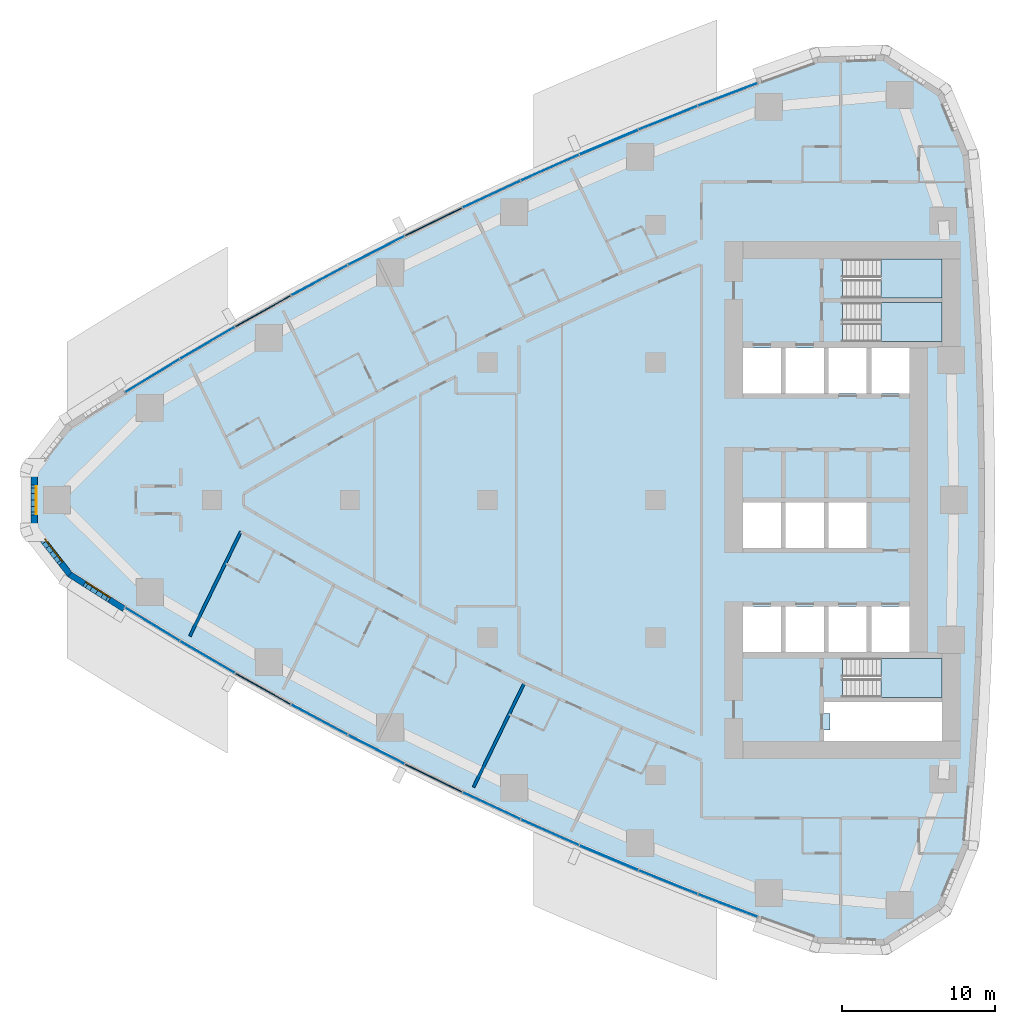
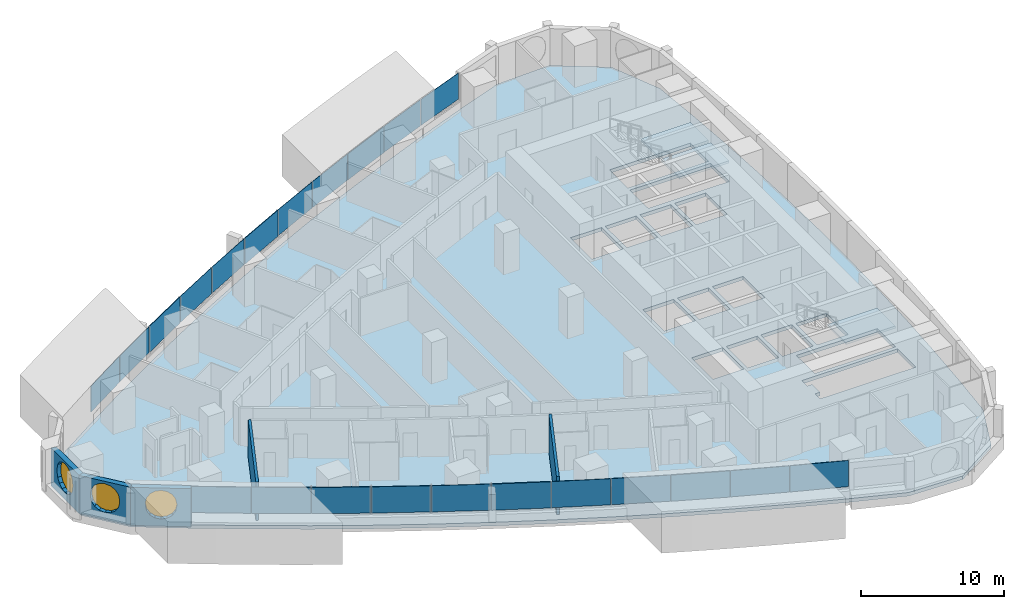
# One storey, part 8 of 19: 22 plates, 5 walls, 4 slabs, 3 windows, 4 openings, 13 elements without a shape of their own.
"""IFC4 building model written with IfcOpenShell, lengths in metres."""

from ifc_helpers import new_model, si_unit, direction, frame, frame_2d, origin, origin_2d, place, context, subcontext, project, spatial, polyline, rectangle, outline, extrude, material, layer, layer_set, type_object, element, fill, aggregate, save


model = new_model("IFC4")

# Units and contexts
model_context = context("Model", 3, precision=1e-05, world=origin(), true_north=direction((0.0, 1.0)))
body_context = subcontext(model_context, "Body", "Model", "MODEL_VIEW")
ifc_project = project(units=[si_unit("LENGTHUNIT", "METRE"), si_unit("AREAUNIT", "SQUARE_METRE"), si_unit("VOLUMEUNIT", "CUBIC_METRE"), si_unit("PLANEANGLEUNIT", "RADIAN"), si_unit("MASSUNIT", "GRAM", prefix="KILO")], contexts=[model_context])

# Site, building, storey
site_placement = place(None, origin())
site = spatial("IfcSite", under=ifc_project, at=site_placement, CompositionType="ELEMENT")
building_placement = place(site_placement, origin())
building = spatial("IfcBuilding", under=site, at=building_placement, Name="Ostrand Prow Hotel Tower", CompositionType="ELEMENT")
storey_placement = place(building_placement, frame((0.0, 0.0, 68.0)))
storey = spatial("IfcBuildingStorey", under=building, at=storey_placement, Name="L15", CompositionType="ELEMENT", Elevation=68.0)

# Curtain wall, plates
ifc_material_1 = material(Name="Insulated glass in bronze anodised frame", Category="glass")
ifc_layer_1 = layer(ifc_material_1, 0.199951171875)
ifc_layer_set_1 = layer_set([ifc_layer_1], Name="Insulated glass in bronze anodised frame")
curtain_wall_type = type_object("IfcCurtainWallType", Name="Strip curtain wall, fritted glass over bronze spandrel", PredefinedType="NOTDEFINED", material=ifc_layer_set_1)
curtain_wall_1_placement = place(storey_placement, origin())
curtain_wall_1 = element("IfcCurtainWall", 1, at=curtain_wall_1_placement, inside=storey, type_object=curtain_wall_type, Name="CW1 run CWS1", PredefinedType="NOTDEFINED")
ifc_material_2 = material(Name="Ceramic-fritted glass", Category="glass")
ifc_layer_2 = layer(ifc_material_2, 0.031982421875)
ifc_layer_set_2 = layer_set([ifc_layer_2], Name="Ceramic-fritted glass")
plate_type_1 = type_object("IfcPlateType", Name="Dot-fritted ceramic glass unit 32 mm", PredefinedType="CURTAIN_PANEL", material=ifc_layer_set_2)
plate_1_placement = place(storey_placement, frame((12.0859375, -8.12158203125, 1.02001953125), z_axis=(0.0, 0.0, 1.0), x_axis=(0.854269266322, -0.519830761515, 0.0)))
plate_1 = element("IfcPlate", 2, at=plate_1_placement, type_object=plate_type_1, Name="CW1 PN-D panel 1.2", PredefinedType="CURTAIN_PANEL", context=body_context, shape_type="SweptSolid", body=[
    extrude(rectangle(XDim=4.13427734375, YDim=0.031982421875, at=origin_2d()), origin(), (0.0, 0.0, 1.0), 2.22998046875),
])
plate_2_placement = place(storey_placement, frame((15.688720703125, -10.268798828125, 1.02001953125), z_axis=(0.0, 0.0, 1.0), x_axis=(0.863690392896, -0.50402272292, 0.0)))
plate_2 = element("IfcPlate", 3, at=plate_2_placement, type_object=plate_type_1, Name="CW1 PN-D panel 2.2", PredefinedType="CURTAIN_PANEL", context=body_context, shape_type="SweptSolid", body=[
    extrude(rectangle(XDim=4.13427734375, YDim=0.031982421875, at=origin_2d()), origin(), (0.0, 0.0, 1.0), 2.22998046875),
])
aggregate(curtain_wall_1, [plate_1, plate_2])

curtain_wall_2_placement = place(storey_placement, origin())
curtain_wall_2 = element("IfcCurtainWall", 4, at=curtain_wall_2_placement, inside=storey, type_object=curtain_wall_type, Name="CW1 run CWS2", PredefinedType="NOTDEFINED")
plate_3_placement = place(storey_placement, frame((23.009765625, -14.362548828125, 1.02001953125), z_axis=(0.0, 0.0, 1.0), x_axis=(0.881652083929, -0.471899992481, 0.0)))
plate_3 = element("IfcPlate", 5, at=plate_3_placement, type_object=plate_type_1, Name="CW1 PN-D panel 2.2", PredefinedType="CURTAIN_PANEL", context=body_context, shape_type="SweptSolid", body=[
    extrude(rectangle(XDim=4.13427734375, YDim=0.031982421875, at=origin_2d()), origin(), (0.0, 0.0, 1.0), 2.22998046875),
])
plate_4_placement = place(storey_placement, frame((26.7255859375, -16.3076171875, 1.02001953125), z_axis=(0.0, 0.0, 1.0), x_axis=(0.890186565631, -0.455596179055, 0.0)))
plate_4 = element("IfcPlate", 6, at=plate_4_placement, type_object=plate_type_1, Name="CW1 PN-D panel 3.2", PredefinedType="CURTAIN_PANEL", context=body_context, shape_type="SweptSolid", body=[
    extrude(rectangle(XDim=4.13427734375, YDim=0.031982421875, at=origin_2d()), origin(), (0.0, 0.0, 1.0), 2.22998046875),
])

# Curtain wall, plate
curtain_wall_3_placement = place(storey_placement, origin())
curtain_wall_3 = element("IfcCurtainWall", 7, at=curtain_wall_3_placement, inside=storey, type_object=curtain_wall_type, Name="CW1 run CWS3", PredefinedType="NOTDEFINED")
plate_5_placement = place(storey_placement, frame((34.26123046875, -19.990966796875, 1.02001953125), z_axis=(0.0, 0.0, 1.0), x_axis=(0.906349088757, -0.422529678615, 0.0)))
plate_5 = element("IfcPlate", 8, at=plate_5_placement, type_object=plate_type_1, Name="CW1 PN-D panel 2.2", PredefinedType="CURTAIN_PANEL", context=body_context, shape_type="SweptSolid", body=[
    extrude(rectangle(XDim=4.13427734375, YDim=0.031982421875, at=origin_2d()), origin(), (0.0, 0.0, 1.0), 2.22998046875),
])

curtain_wall_4_placement = place(storey_placement, origin())
curtain_wall_4 = element("IfcCurtainWall", 9, at=curtain_wall_4_placement, inside=storey, type_object=curtain_wall_type, Name="CW1 run CWS4", PredefinedType="NOTDEFINED")
plate_6_placement = place(storey_placement, frame((38.078857421875, -21.72802734375, 1.02001953125), z_axis=(0.0, 0.0, 1.0), x_axis=(0.913970890274, -0.405779757666, 0.0)))
plate_6 = element("IfcPlate", 10, at=plate_6_placement, type_object=plate_type_1, Name="CW1 PN-D panel 1.2", PredefinedType="CURTAIN_PANEL", context=body_context, shape_type="SweptSolid", body=[
    extrude(rectangle(XDim=4.13427734375, YDim=0.031982421875, at=origin_2d()), origin(), (0.0, 0.0, 1.0), 2.22998046875),
])

# Curtain wall, plates
curtain_wall_5_placement = place(storey_placement, origin())
curtain_wall_5 = element("IfcCurtainWall", 11, at=curtain_wall_5_placement, inside=storey, type_object=curtain_wall_type, Name="CW1 run CWS5", PredefinedType="NOTDEFINED")
plate_7_placement = place(storey_placement, frame((45.806396484375, -24.989990234375, 1.02001953125), z_axis=(0.0, 0.0, 1.0), x_axis=(0.928283463577, -0.371873380669, 0.0)))
plate_7 = element("IfcPlate", 12, at=plate_7_placement, type_object=plate_type_1, Name="CW1 PN-D panel 1.2", PredefinedType="CURTAIN_PANEL", context=body_context, shape_type="SweptSolid", body=[
    extrude(rectangle(XDim=4.13427734375, YDim=0.031982421875, at=origin_2d()), origin(), (0.0, 0.0, 1.0), 2.22998046875),
])
plate_8_placement = place(storey_placement, frame((49.7138671875, -26.513671875, 1.02001953125), z_axis=(0.0, 0.0, 1.0), x_axis=(0.934969388384, -0.354728407072, 0.0)))
plate_8 = element("IfcPlate", 13, at=plate_8_placement, type_object=plate_type_1, Name="CW1 PN-D panel 2.2", PredefinedType="CURTAIN_PANEL", context=body_context, shape_type="SweptSolid", body=[
    extrude(rectangle(XDim=4.13427734375, YDim=0.031982421875, at=origin_2d()), origin(), (0.0, 0.0, 1.0), 2.22998046875),
])
aggregate(curtain_wall_5, [plate_7, plate_8])

curtain_wall_6_placement = place(storey_placement, origin())
curtain_wall_6 = element("IfcCurtainWall", 14, at=curtain_wall_6_placement, inside=storey, type_object=curtain_wall_type, Name="CW1 run CWN1", PredefinedType="NOTDEFINED")
plate_9_placement = place(storey_placement, frame((49.7138671875, 26.513671875, 1.02001953125), z_axis=(0.0, 0.0, 1.0), x_axis=(-0.934969388384, -0.354728407072, 0.0)))
plate_9 = element("IfcPlate", 15, at=plate_9_placement, type_object=plate_type_1, Name="CW1 PN-D panel 1.2", PredefinedType="CURTAIN_PANEL", context=body_context, shape_type="SweptSolid", body=[
    extrude(rectangle(XDim=4.13427734375, YDim=0.031982421875, at=origin_2d()), origin(), (0.0, 0.0, 1.0), 2.22998046875),
])
plate_10_placement = place(storey_placement, frame((45.806396484375, 24.989990234375, 1.02001953125), z_axis=(0.0, 0.0, 1.0), x_axis=(-0.928283463577, -0.371873380669, 0.0)))
plate_10 = element("IfcPlate", 16, at=plate_10_placement, type_object=plate_type_1, Name="CW1 PN-D panel 2.2", PredefinedType="CURTAIN_PANEL", context=body_context, shape_type="SweptSolid", body=[
    extrude(rectangle(XDim=4.13427734375, YDim=0.031982421875, at=origin_2d()), origin(), (0.0, 0.0, 1.0), 2.22998046875),
])
aggregate(curtain_wall_6, [plate_9, plate_10])

# Curtain wall, plate
curtain_wall_7_placement = place(storey_placement, origin())
curtain_wall_7 = element("IfcCurtainWall", 17, at=curtain_wall_7_placement, inside=storey, type_object=curtain_wall_type, Name="CW1 run CWN2", PredefinedType="NOTDEFINED")
plate_11_placement = place(storey_placement, frame((38.078857421875, 21.72802734375, 1.02001953125), z_axis=(0.0, 0.0, 1.0), x_axis=(-0.913970890274, -0.405779757666, 0.0)))
plate_11 = element("IfcPlate", 18, at=plate_11_placement, type_object=plate_type_1, Name="CW1 PN-D panel 2.2", PredefinedType="CURTAIN_PANEL", context=body_context, shape_type="SweptSolid", body=[
    extrude(rectangle(XDim=4.13427734375, YDim=0.031982421875, at=origin_2d()), origin(), (0.0, 0.0, 1.0), 2.22998046875),
])

curtain_wall_8_placement = place(storey_placement, origin())
curtain_wall_8 = element("IfcCurtainWall", 19, at=curtain_wall_8_placement, inside=storey, type_object=curtain_wall_type, Name="CW1 run CWN3", PredefinedType="NOTDEFINED")
plate_12_placement = place(storey_placement, frame((34.26123046875, 19.990966796875, 1.02001953125), z_axis=(0.0, 0.0, 1.0), x_axis=(-0.906349088757, -0.422529678615, 0.0)))
plate_12 = element("IfcPlate", 20, at=plate_12_placement, type_object=plate_type_1, Name="CW1 PN-D panel 1.2", PredefinedType="CURTAIN_PANEL", context=body_context, shape_type="SweptSolid", body=[
    extrude(rectangle(XDim=4.13427734375, YDim=0.031982421875, at=origin_2d()), origin(), (0.0, 0.0, 1.0), 2.22998046875),
])

# Curtain wall, plates
curtain_wall_9_placement = place(storey_placement, origin())
curtain_wall_9 = element("IfcCurtainWall", 21, at=curtain_wall_9_placement, inside=storey, type_object=curtain_wall_type, Name="CW1 run CWN4", PredefinedType="NOTDEFINED")
plate_13_placement = place(storey_placement, frame((26.7255859375, 16.3076171875, 1.02001953125), z_axis=(0.0, 0.0, 1.0), x_axis=(-0.890186565631, -0.455596179055, 0.0)))
plate_13 = element("IfcPlate", 22, at=plate_13_placement, type_object=plate_type_1, Name="CW1 PN-D panel 1.2", PredefinedType="CURTAIN_PANEL", context=body_context, shape_type="SweptSolid", body=[
    extrude(rectangle(XDim=4.13427734375, YDim=0.031982421875, at=origin_2d()), origin(), (0.0, 0.0, 1.0), 2.22998046875),
])
plate_14_placement = place(storey_placement, frame((23.009765625, 14.362548828125, 1.02001953125), z_axis=(0.0, 0.0, 1.0), x_axis=(-0.881652083929, -0.471899992481, 0.0)))
plate_14 = element("IfcPlate", 23, at=plate_14_placement, type_object=plate_type_1, Name="CW1 PN-D panel 2.2", PredefinedType="CURTAIN_PANEL", context=body_context, shape_type="SweptSolid", body=[
    extrude(rectangle(XDim=4.13427734375, YDim=0.031982421875, at=origin_2d()), origin(), (0.0, 0.0, 1.0), 2.22998046875),
])

curtain_wall_10_placement = place(storey_placement, origin())
curtain_wall_10 = element("IfcCurtainWall", 24, at=curtain_wall_10_placement, inside=storey, type_object=curtain_wall_type, Name="CW1 run CWN5", PredefinedType="NOTDEFINED")
plate_15_placement = place(storey_placement, frame((15.688720703125, 10.268798828125, 1.02001953125), z_axis=(0.0, 0.0, 1.0), x_axis=(-0.863690392896, -0.50402272292, 0.0)))
plate_15 = element("IfcPlate", 25, at=plate_15_placement, type_object=plate_type_1, Name="CW1 PN-D panel 1.2", PredefinedType="CURTAIN_PANEL", context=body_context, shape_type="SweptSolid", body=[
    extrude(rectangle(XDim=4.13427734375, YDim=0.031982421875, at=origin_2d()), origin(), (0.0, 0.0, 1.0), 2.22998046875),
])
plate_16_placement = place(storey_placement, frame((12.0859375, 8.12158203125, 1.02001953125), z_axis=(0.0, 0.0, 1.0), x_axis=(-0.854269266322, -0.519830761515, 0.0)))
plate_16 = element("IfcPlate", 26, at=plate_16_placement, type_object=plate_type_1, Name="CW1 PN-D panel 2.2", PredefinedType="CURTAIN_PANEL", context=body_context, shape_type="SweptSolid", body=[
    extrude(rectangle(XDim=4.13427734375, YDim=0.031982421875, at=origin_2d()), origin(), (0.0, 0.0, 1.0), 2.22998046875),
])
aggregate(curtain_wall_10, [plate_15, plate_16])

# Plate
ifc_material_3 = material(Name="Fritted glass in bronze vent frame", Category="glass")
ifc_layer_3 = layer(ifc_material_3, 0.06005859375)
ifc_layer_set_3 = layer_set([ifc_layer_3], Name="Fritted glass in bronze vent frame")
plate_type_2 = type_object("IfcPlateType", Name="Operable vent panel 60 mm", PredefinedType="CURTAIN_PANEL", material=ifc_layer_set_3)
plate_17_placement = place(storey_placement, frame((19.33056640625, -12.349365234375, 1.02001953125), z_axis=(0.0, 0.0, 1.0), x_axis=(0.872819029241, -0.488043996167, 0.0)))
plate_17 = element("IfcPlate", 27, at=plate_17_placement, type_object=plate_type_2, Name="CW1 PN-O panel 1.2", PredefinedType="CURTAIN_PANEL", context=body_context, shape_type="SweptSolid", body=[
    extrude(rectangle(XDim=4.13427734375, YDim=0.06005859375, at=origin_2d()), origin(), (0.0, 0.0, 1.0), 2.22998046875),
])

aggregate(curtain_wall_2, [plate_17, plate_3, plate_4])

plate_18_placement = place(storey_placement, frame((30.4765625, -18.183837890625, 1.02001953125), z_axis=(0.0, 0.0, 1.0), x_axis=(0.898419584131, -0.439138077204, 0.0)))
plate_18 = element("IfcPlate", 28, at=plate_18_placement, type_object=plate_type_2, Name="CW1 PN-O panel 1.2", PredefinedType="CURTAIN_PANEL", context=body_context, shape_type="SweptSolid", body=[
    extrude(rectangle(XDim=4.13427734375, YDim=0.06005859375, at=origin_2d()), origin(), (0.0, 0.0, 1.0), 2.22998046875),
])

aggregate(curtain_wall_3, [plate_18, plate_5])

plate_19_placement = place(storey_placement, frame((41.927490234375, -23.39453125, 1.02001953125), z_axis=(0.0, 0.0, 1.0), x_axis=(0.921283173987, -0.388892418709, 0.0)))
plate_19 = element("IfcPlate", 29, at=plate_19_placement, type_object=plate_type_2, Name="CW1 PN-O panel 2.2", PredefinedType="CURTAIN_PANEL", context=body_context, shape_type="SweptSolid", body=[
    extrude(rectangle(XDim=4.13427734375, YDim=0.06005859375, at=origin_2d()), origin(), (0.0, 0.0, 1.0), 2.22998046875),
])

aggregate(curtain_wall_4, [plate_6, plate_19])

plate_20_placement = place(storey_placement, frame((41.927490234375, 23.39453125, 1.02001953125), z_axis=(0.0, 0.0, 1.0), x_axis=(-0.921283173987, -0.388892418709, 0.0)))
plate_20 = element("IfcPlate", 30, at=plate_20_placement, type_object=plate_type_2, Name="CW1 PN-O panel 1.2", PredefinedType="CURTAIN_PANEL", context=body_context, shape_type="SweptSolid", body=[
    extrude(rectangle(XDim=4.13427734375, YDim=0.06005859375, at=origin_2d()), origin(), (0.0, 0.0, 1.0), 2.22998046875),
])

aggregate(curtain_wall_7, [plate_20, plate_11])

plate_21_placement = place(storey_placement, frame((30.4765625, 18.183837890625, 1.02001953125), z_axis=(0.0, 0.0, 1.0), x_axis=(-0.898419584131, -0.439138077204, 0.0)))
plate_21 = element("IfcPlate", 31, at=plate_21_placement, type_object=plate_type_2, Name="CW1 PN-O panel 2.2", PredefinedType="CURTAIN_PANEL", context=body_context, shape_type="SweptSolid", body=[
    extrude(rectangle(XDim=4.13427734375, YDim=0.06005859375, at=origin_2d()), origin(), (0.0, 0.0, 1.0), 2.22998046875),
])

aggregate(curtain_wall_8, [plate_12, plate_21])

plate_22_placement = place(storey_placement, frame((19.33056640625, 12.349365234375, 1.02001953125), z_axis=(0.0, 0.0, 1.0), x_axis=(-0.872819029241, -0.488043996167, 0.0)))
plate_22 = element("IfcPlate", 32, at=plate_22_placement, type_object=plate_type_2, Name="CW1 PN-O panel 3.2", PredefinedType="CURTAIN_PANEL", context=body_context, shape_type="SweptSolid", body=[
    extrude(rectangle(XDim=4.13427734375, YDim=0.06005859375, at=origin_2d()), origin(), (0.0, 0.0, 1.0), 2.22998046875),
])

aggregate(curtain_wall_9, [plate_13, plate_14, plate_22])

# Slab, opening
ifc_material_4 = material(Name="Concrete C40/50", Category="concrete")
ifc_layer_4 = layer(ifc_material_4, 0.300048828125)
ifc_layer_set_4 = layer_set([ifc_layer_4], Name="Concrete C40/50")
slab_type_1 = type_object("IfcSlabType", Name="PT flat plate 300 C40/50", PredefinedType="FLOOR", material=ifc_layer_set_4)
slab_1_placement = place(storey_placement, frame((0.0, 0.0, -0.300048828125)))
slab_1 = element("IfcSlab", 33, at=slab_1_placement, inside=storey, type_object=slab_type_1, Name="Floor slab L15-1", PredefinedType="FLOOR", context=body_context, shape_type="SweptSolid", body=[
    extrude(outline(polyline([(6.690673828125, 4.805908203125), (10.26806640625, 7.073974609375), (13.851806640625, 9.2548828125), (17.47509765625, 11.369384765625), (21.136962890625, 13.416748046875), (24.83544921875, 15.396484375), (28.570068359375, 17.3076171875), (32.339111328125, 19.14990234375), (36.141357421875, 20.922607421875), (39.9755859375, 22.625), (43.840576171875, 24.25634765625), (47.73486328125, 25.81640625), (51.6572265625, 27.3046875), (55.64111328125, 28.73291015625), (59.92333984375, 28.873046875), (63.55908203125, 26.53369140625), (65.2060546875, 22.578369140625), (65.552978515625, 18.45166015625), (65.828369140625, 14.356689453125), (66.034912109375, 10.2578125), (66.172607421875, 6.15576171875), (66.241455078125, 2.052001953125), (66.241455078125, -2.052001953125), (66.172607421875, -6.15576171875), (66.034912109375, -10.2578125), (65.828369140625, -14.356689453125), (65.552978515625, -18.45166015625), (65.2060546875, -22.578369140625), (63.55908203125, -26.53369140625), (59.92333984375, -28.873046875), (55.64111328125, -28.73291015625), (51.6572265625, -27.3046875), (47.73486328125, -25.81640625), (43.840576171875, -24.25634765625), (39.9755859375, -22.625), (36.141357421875, -20.922607421875), (32.339111328125, -19.14990234375), (28.570068359375, -17.3076171875), (24.83544921875, -15.396484375), (21.136962890625, -13.416748046875), (17.47509765625, -11.369384765625), (13.851806640625, -9.2548828125), (10.26806640625, -7.073974609375), (6.690673828125, -4.805908203125), (4.399169921875, -1.8798828125), (4.399169921875, 1.8798828125), (6.690673828125, 4.805908203125)]), holes=[polyline([(50.699951171875, 6.949951171875), (53.199951171875, 6.949951171875), (53.199951171875, 9.949951171875), (50.699951171875, 9.949951171875), (50.699951171875, 6.949951171875)]), polyline([(53.5, 6.949951171875), (56.0, 6.949951171875), (56.0, 9.949951171875), (53.5, 9.949951171875), (53.5, 6.949951171875)]), polyline([(56.300048828125, 6.949951171875), (58.800048828125, 6.949951171875), (58.800048828125, 9.949951171875), (56.300048828125, 9.949951171875), (56.300048828125, 6.949951171875)]), polyline([(59.10009765625, 6.949951171875), (61.60009765625, 6.949951171875), (61.60009765625, 9.949951171875), (59.10009765625, 9.949951171875), (59.10009765625, 6.949951171875)]), polyline([(50.699951171875, -3.14990234375), (53.199951171875, -3.14990234375), (53.199951171875, -0.14990234375), (50.699951171875, -0.14990234375), (50.699951171875, -3.14990234375)]), polyline([(53.5, -3.14990234375), (56.0, -3.14990234375), (56.0, -0.14990234375), (53.5, -0.14990234375), (53.5, -3.14990234375)]), polyline([(56.300048828125, -3.14990234375), (58.800048828125, -3.14990234375), (58.800048828125, -0.14990234375), (56.300048828125, -0.14990234375), (56.300048828125, -3.14990234375)]), polyline([(50.699951171875, -9.949951171875), (53.199951171875, -9.949951171875), (53.199951171875, -6.949951171875), (50.699951171875, -6.949951171875), (50.699951171875, -9.949951171875)]), polyline([(53.5, -9.949951171875), (56.0, -9.949951171875), (56.0, -6.949951171875), (53.5, -6.949951171875), (53.5, -9.949951171875)]), polyline([(56.300048828125, -9.949951171875), (58.800048828125, -9.949951171875), (58.800048828125, -6.949951171875), (56.300048828125, -6.949951171875), (56.300048828125, -9.949951171875)]), polyline([(59.10009765625, -9.949951171875), (61.60009765625, -9.949951171875), (61.60009765625, -6.949951171875), (59.10009765625, -6.949951171875), (59.10009765625, -9.949951171875)]), polyline([(57.200927734375, 10.35107421875), (57.200927734375, 12.89892578125), (63.718994140625, 12.89892578125), (63.718994140625, 10.35107421875), (57.200927734375, 10.35107421875)]), polyline([(57.200927734375, 13.200927734375), (57.200927734375, 15.7490234375), (63.718994140625, 15.7490234375), (63.718994140625, 13.200927734375), (57.200927734375, 13.200927734375)]), polyline([(57.200927734375, -12.89892578125), (57.200927734375, -10.35107421875), (63.718994140625, -10.35107421875), (63.718994140625, -12.89892578125), (57.200927734375, -12.89892578125)]), polyline([(56.0, -13.199951171875), (63.719970703125, -13.199951171875), (63.719970703125, -15.75), (56.0, -15.75), (56.0, -15.050048828125), (56.39990234375, -15.050048828125), (56.39990234375, -13.949951171875), (56.0, -13.949951171875), (56.0, -13.199951171875)])]), origin(), (0.0, 0.0, 1.0), 0.300048828125),
])
opening_1_placement = place(slab_1_placement, origin())
element("IfcOpeningElement", 34, at=opening_1_placement, cuts=slab_1, Name="Shaft opening 1", PredefinedType="OPENING", context=body_context, shape_type="SweptSolid", body=[
    extrude(outline(polyline([(56.0, -13.199951171875), (63.719970703125, -13.199951171875), (63.719970703125, -15.75), (56.0, -15.75), (56.0, -15.050048828125), (56.39990234375, -15.050048828125), (56.39990234375, -13.949951171875), (56.0, -13.949951171875), (56.0, -13.199951171875)])), origin(), (0.0, 0.0, 1.0), 0.300048828125),
])

# Stair, slab
ifc_material_5 = material(Name="Concrete C40/50", Category="concrete")
stair_type = type_object("IfcStairType", Name="Exit stair 1200 upper zone", PredefinedType="HALF_TURN_STAIR", material=ifc_material_5)
stair_1_placement = place(storey_placement, origin())
stair_1 = element("IfcStair", 35, at=stair_1_placement, inside=storey, type_object=stair_type, Name="L15 ST1C", PredefinedType="HALF_TURN_STAIR")
ifc_material_6 = material(Name="Concrete C40/50", Category="concrete")
ifc_layer_5 = layer(ifc_material_6, 0.199951171875)
ifc_layer_set_5 = layer_set([ifc_layer_5], Name="Concrete C40/50")
slab_type_2 = type_object("IfcSlabType", Name="Stair landing 200 concrete", PredefinedType="LANDING", material=ifc_layer_set_5)
slab_2_placement = place(storey_placement, frame((0.0, 0.0, 1.574951171875)))
slab_2 = element("IfcSlab", 36, at=slab_2_placement, type_object=slab_type_2, Name="ST1C landing 1", PredefinedType="LANDING", context=body_context, shape_type="SweptSolid", body=[
    extrude(outline(polyline([(59.719970703125, 10.35009765625), (63.719970703125, 10.35009765625), (63.719970703125, 12.89990234375), (59.719970703125, 12.89990234375), (59.719970703125, 10.35009765625)])), origin(), (0.0, 0.0, 1.0), 0.199951171875),
])
aggregate(stair_1, [slab_2])

stair_2_placement = place(storey_placement, origin())
stair_2 = element("IfcStair", 37, at=stair_2_placement, inside=storey, type_object=stair_type, Name="L15 ST3C", PredefinedType="HALF_TURN_STAIR")
slab_3_placement = place(storey_placement, frame((0.0, 0.0, 1.574951171875)))
slab_3 = element("IfcSlab", 38, at=slab_3_placement, type_object=slab_type_2, Name="ST3C landing 1", PredefinedType="LANDING", context=body_context, shape_type="SweptSolid", body=[
    extrude(outline(polyline([(59.719970703125, 13.199951171875), (63.719970703125, 13.199951171875), (63.719970703125, 15.75), (59.719970703125, 15.75), (59.719970703125, 13.199951171875)])), origin(), (0.0, 0.0, 1.0), 0.199951171875),
])
aggregate(stair_2, [slab_3])

stair_3_placement = place(storey_placement, origin())
stair_3 = element("IfcStair", 39, at=stair_3_placement, inside=storey, type_object=stair_type, Name="L15 ST2C", PredefinedType="HALF_TURN_STAIR")
slab_4_placement = place(storey_placement, frame((0.0, 0.0, 1.574951171875)))
slab_4 = element("IfcSlab", 40, at=slab_4_placement, type_object=slab_type_2, Name="ST2C landing 1", PredefinedType="LANDING", context=body_context, shape_type="SweptSolid", body=[
    extrude(outline(polyline([(59.719970703125, -12.89990234375), (63.719970703125, -12.89990234375), (63.719970703125, -10.35009765625), (59.719970703125, -10.35009765625), (59.719970703125, -12.89990234375)])), origin(), (0.0, 0.0, 1.0), 0.199951171875),
])
aggregate(stair_3, [slab_4])

# Walls
ifc_material_7 = material(Name="Plasterboard partition")
ifc_layer_6 = layer(ifc_material_7, 0.199951171875)
ifc_layer_set_6 = layer_set([ifc_layer_6], Name="Plasterboard partition")
wall_type_1 = type_object("IfcWallType", Name="Partition 200 key partition", PredefinedType="PARTITIONING", material=ifc_layer_set_6)
wall_1_placement = place(storey_placement, frame((14.540771484375, -8.904296875, 0.0), z_axis=(0.0, 0.0, 1.0), x_axis=(0.438213564788, 0.898870887078, 0.0)))
element("IfcWall", 41, at=wall_1_placement, inside=storey, type_object=wall_type_1, Name="KEY PARTITION", PredefinedType="PARTITIONING", context=body_context, shape_type="SweptSolid", body=[
    extrude(rectangle(XDim=7.62548828125, YDim=0.199951171875, at=frame_2d((3.812744140625, 0.0))), origin(), (0.0, 0.0, 1.0), 3.25),
])
wall_2_placement = place(storey_placement, frame((33.087890625, -18.781982421875, 0.0), z_axis=(0.0, 0.0, 1.0), x_axis=(0.438197705697, 0.898878618459, 0.0)))
element("IfcWall", 42, at=wall_2_placement, inside=storey, type_object=wall_type_1, Name="KEY PARTITION", PredefinedType="PARTITIONING", context=body_context, shape_type="SweptSolid", body=[
    extrude(rectangle(XDim=7.60107421875, YDim=0.199951171875, at=frame_2d((3.800537109375, 0.0))), origin(), (0.0, 0.0, 1.0), 3.25),
])

# Wall, opening, window
ifc_material_8 = material(Name="Precast concrete C40/50", Category="concrete")
ifc_layer_7 = layer(ifc_material_8, 0.39990234375)
ifc_layer_set_7 = layer_set([ifc_layer_7], Name="Precast concrete C40/50")
wall_type_2 = type_object("IfcWallType", Name="Stone-faced precast wall 400 mm", PredefinedType="NOTDEFINED", material=ifc_layer_set_7)
wall_3_placement = place(storey_placement, frame((4.365478515625, 1.891357421875, 0.0), z_axis=(0.0, 0.0, 1.0), x_axis=(0.0, -1.0, 0.0)))
wall_3 = element("IfcWall", 43, at=wall_3_placement, inside=storey, type_object=wall_type_2, Name="Stone-faced wall prow 3", PredefinedType="NOTDEFINED", context=body_context, shape_type="SweptSolid", body=[
    extrude(outline(polyline([(-0.069091796875, -0.199951171875), (3.851806640625, -0.199951171875), (3.713623046875, 0.199951171875), (0.069091796875, 0.199951171875), (-0.069091796875, -0.199951171875)])), origin(), (0.0, 0.0, 1.0), 3.25),
])
opening_2_placement = place(wall_3_placement, frame((0.79150390625, 0.0, 0.60009765625)))
opening_2 = element("IfcOpeningElement", 44, at=opening_2_placement, cuts=wall_3, Name="Opening WP1", PredefinedType="OPENING", context=body_context, shape_type="SweptSolid", body=[
    extrude(outline(polyline([(0.0, 1.35009765625), (0.083740234375, 1.77099609375), (0.322265625, 2.127685546875), (0.678955078125, 2.3662109375), (1.10009765625, 2.449951171875), (1.52099609375, 2.3662109375), (1.877685546875, 2.127685546875), (2.1162109375, 1.77099609375), (2.199951171875, 1.35009765625), (2.199951171875, 1.10009765625), (2.1162109375, 0.678955078125), (1.877685546875, 0.322265625), (1.52099609375, 0.083740234375), (1.10009765625, 0.0), (0.678955078125, 0.083740234375), (0.322265625, 0.322265625), (0.083740234375, 0.678955078125), (0.0, 1.099853515625), (0.0, 1.35009765625)])), frame((0.0, 0.2099609375, 0.0), z_axis=(0.0, -1.0, 0.0), x_axis=(1.0, 0.0, 0.0)), (0.0, 0.0, 1.0), 0.419921875),
])
ifc_material_9 = material(Name="Insulated glass in bronze frame", Category="glass")
window_type = type_object("IfcWindowType", Name="Round-ended prow window 2200x2450", PartitioningType="SINGLE_PANEL", PredefinedType="WINDOW", material=ifc_material_9)
window_1_placement = place(opening_2_placement, origin())
window_1 = element("IfcWindow", 45, at=window_1_placement, inside=storey, type_object=window_type, Name="Window prow 3.1", OverallHeight=2.449951171875, OverallWidth=2.199951171875, PartitioningType="SINGLE_PANEL", PredefinedType="WINDOW", context=body_context, shape_type="SweptSolid", body=[
    extrude(outline(polyline([(0.0, 1.35009765625), (0.083740234375, 1.77099609375), (0.322265625, 2.127685546875), (0.678955078125, 2.3662109375), (1.10009765625, 2.449951171875), (1.52099609375, 2.3662109375), (1.877685546875, 2.127685546875), (2.1162109375, 1.77099609375), (2.199951171875, 1.35009765625), (2.199951171875, 1.10009765625), (2.1162109375, 0.678955078125), (1.877685546875, 0.322265625), (1.52099609375, 0.083740234375), (1.10009765625, 0.0), (0.678955078125, 0.083740234375), (0.322265625, 0.322265625), (0.083740234375, 0.678955078125), (0.0, 1.099853515625), (0.0, 1.35009765625)])), frame((0.0, 0.169921875, 0.0), z_axis=(0.0, -1.0, 0.0), x_axis=(1.0, 0.0, 0.0)), (0.0, 0.0, 1.0), 0.06005859375),
])
fill(opening_2, window_1)

wall_4_placement = place(storey_placement, frame((4.365478515625, -1.891357421875, 0.0), z_axis=(0.0, 0.0, 1.0), x_axis=(0.616586647779, -0.787287054245, 0.0)))
wall_4 = element("IfcWall", 46, at=wall_4_placement, inside=storey, type_object=wall_type_2, Name="Stone-faced wall prow 4", PredefinedType="NOTDEFINED", context=body_context, shape_type="SweptSolid", body=[
    extrude(outline(polyline([(-0.069091796875, -0.199951171875), (3.8173828125, -0.199951171875), (3.74853515625, 0.199951171875), (0.069091796875, 0.199951171875), (-0.069091796875, -0.199951171875)])), origin(), (0.0, 0.0, 1.0), 3.25),
])
opening_3_placement = place(wall_4_placement, frame((0.79150390625, 0.0, 0.60009765625)))
opening_3 = element("IfcOpeningElement", 47, at=opening_3_placement, cuts=wall_4, Name="Opening WP1", PredefinedType="OPENING", context=body_context, shape_type="SweptSolid", body=[
    extrude(outline(polyline([(0.0, 1.35009765625), (0.083740234375, 1.77099609375), (0.322265625, 2.127685546875), (0.678955078125, 2.3662109375), (1.10009765625, 2.449951171875), (1.52099609375, 2.3662109375), (1.877685546875, 2.127685546875), (2.1162109375, 1.77099609375), (2.199951171875, 1.35009765625), (2.199951171875, 1.10009765625), (2.1162109375, 0.678955078125), (1.877685546875, 0.322265625), (1.52099609375, 0.083740234375), (1.10009765625, 0.0), (0.678955078125, 0.083740234375), (0.322265625, 0.322265625), (0.083740234375, 0.678955078125), (0.0, 1.099853515625), (0.0, 1.35009765625)])), frame((0.0, 0.2099609375, 0.0), z_axis=(0.0, -1.0, 0.0), x_axis=(1.0, 0.0, 0.0)), (0.0, 0.0, 1.0), 0.419921875),
])
window_2_placement = place(opening_3_placement, origin())
window_2 = element("IfcWindow", 48, at=window_2_placement, inside=storey, type_object=window_type, Name="Window prow 4.1", OverallHeight=2.449951171875, OverallWidth=2.199951171875, PartitioningType="SINGLE_PANEL", PredefinedType="WINDOW", context=body_context, shape_type="SweptSolid", body=[
    extrude(outline(polyline([(0.0, 1.35009765625), (0.083740234375, 1.77099609375), (0.322265625, 2.127685546875), (0.678955078125, 2.3662109375), (1.10009765625, 2.449951171875), (1.52099609375, 2.3662109375), (1.877685546875, 2.127685546875), (2.1162109375, 1.77099609375), (2.199951171875, 1.35009765625), (2.199951171875, 1.10009765625), (2.1162109375, 0.678955078125), (1.877685546875, 0.322265625), (1.52099609375, 0.083740234375), (1.10009765625, 0.0), (0.678955078125, 0.083740234375), (0.322265625, 0.322265625), (0.083740234375, 0.678955078125), (0.0, 1.099853515625), (0.0, 1.35009765625)])), frame((0.0, 0.169921875, 0.0), z_axis=(0.0, -1.0, 0.0), x_axis=(1.0, 0.0, 0.0)), (0.0, 0.0, 1.0), 0.06005859375),
])
fill(opening_3, window_2)

wall_5_placement = place(storey_placement, frame((6.697998046875, -4.86962890625, 0.0), z_axis=(0.0, 0.0, 1.0), x_axis=(0.844551578623, -0.535474211372, 0.0)))
wall_5 = element("IfcWall", 49, at=wall_5_placement, inside=storey, type_object=wall_type_2, Name="Stone-faced wall prow 5", PredefinedType="NOTDEFINED", context=body_context, shape_type="SweptSolid", body=[
    extrude(outline(polyline([(-0.034423828125, -0.199951171875), (4.196044921875, -0.199951171875), (4.196044921875, 0.199951171875), (0.034423828125, 0.199951171875), (-0.034423828125, -0.199951171875)])), origin(), (0.0, 0.0, 1.0), 3.25),
])
opening_4_placement = place(wall_5_placement, frame((0.998046875, 0.0, 0.60009765625)))
opening_4 = element("IfcOpeningElement", 50, at=opening_4_placement, cuts=wall_5, Name="Opening WP1", PredefinedType="OPENING", context=body_context, shape_type="SweptSolid", body=[
    extrude(outline(polyline([(0.0, 1.35009765625), (0.083740234375, 1.77099609375), (0.322265625, 2.127685546875), (0.678955078125, 2.3662109375), (1.10009765625, 2.449951171875), (1.52099609375, 2.3662109375), (1.877685546875, 2.127685546875), (2.1162109375, 1.77099609375), (2.199951171875, 1.35009765625), (2.199951171875, 1.10009765625), (2.1162109375, 0.678955078125), (1.877685546875, 0.322265625), (1.52099609375, 0.083740234375), (1.10009765625, 0.0), (0.678955078125, 0.083740234375), (0.322265625, 0.322265625), (0.083740234375, 0.678955078125), (0.0, 1.099853515625), (0.0, 1.35009765625)])), frame((0.0, 0.2099609375, 0.0), z_axis=(0.0, -1.0, 0.0), x_axis=(1.0, 0.0, 0.0)), (0.0, 0.0, 1.0), 0.419921875),
])
window_3_placement = place(opening_4_placement, origin())
window_3 = element("IfcWindow", 51, at=window_3_placement, inside=storey, type_object=window_type, Name="Window prow 5.1", OverallHeight=2.449951171875, OverallWidth=2.199951171875, PartitioningType="SINGLE_PANEL", PredefinedType="WINDOW", context=body_context, shape_type="SweptSolid", body=[
    extrude(outline(polyline([(0.0, 1.35009765625), (0.083740234375, 1.77099609375), (0.322265625, 2.127685546875), (0.678955078125, 2.3662109375), (1.10009765625, 2.449951171875), (1.52099609375, 2.3662109375), (1.877685546875, 2.127685546875), (2.1162109375, 1.77099609375), (2.199951171875, 1.35009765625), (2.199951171875, 1.10009765625), (2.1162109375, 0.678955078125), (1.877685546875, 0.322265625), (1.52099609375, 0.083740234375), (1.10009765625, 0.0), (0.678955078125, 0.083740234375), (0.322265625, 0.322265625), (0.083740234375, 0.678955078125), (0.0, 1.099853515625), (0.0, 1.35009765625)])), frame((0.0, 0.169921875, 0.0), z_axis=(0.0, -1.0, 0.0), x_axis=(1.0, 0.0, 0.0)), (0.0, 0.0, 1.0), 0.06005859375),
])
fill(opening_4, window_3)

save(model, "model.ifc")
